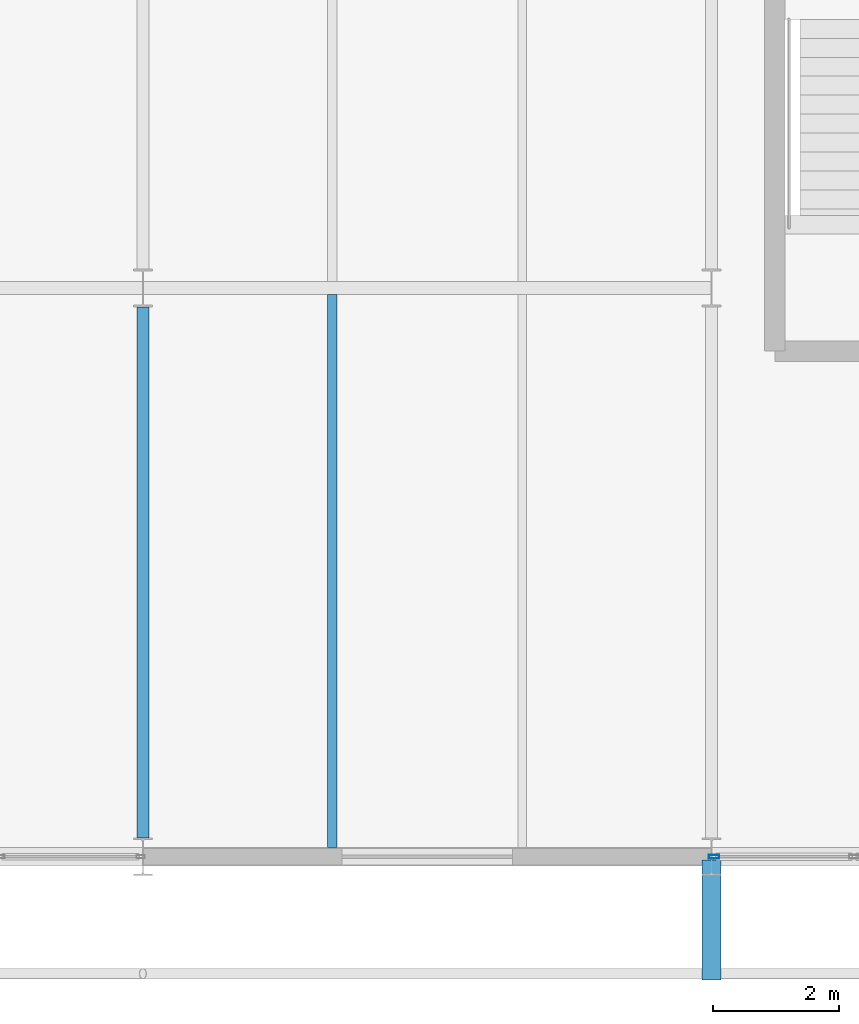
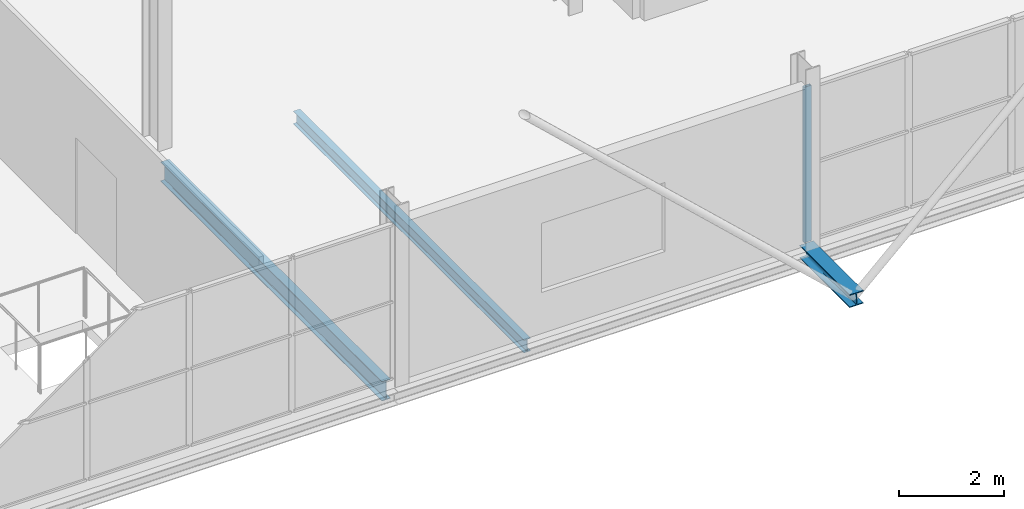
# One storey, part 29 of 59: 3 beams, 1 member, 1 element without a shape of its own.
"""IFC4 building model written with IfcOpenShell, lengths in metres."""

from ifc_helpers import new_model, si_unit, direction, frame, origin, origin_2d, place, context, subcontext, project, spatial, hollow_rectangle, i_section, extrude, material, layer, layer_set, material_profile, profile_set, type_object, element, aggregate, save


model = new_model("IFC4")

# Units and contexts
model_context = context("Model", 3, precision=1e-05, world=origin(), true_north=direction((0.0, 1.0)))
body_context = subcontext(model_context, "Body", "Model", "MODEL_VIEW")
ifc_project = project(units=[si_unit("LENGTHUNIT", "METRE"), si_unit("AREAUNIT", "SQUARE_METRE"), si_unit("VOLUMEUNIT", "CUBIC_METRE"), si_unit("PLANEANGLEUNIT", "RADIAN"), si_unit("MASSUNIT", "GRAM", prefix="KILO")], contexts=[model_context])

# Site, building, storey
site_placement = place(None, origin())
site = spatial("IfcSite", under=ifc_project, at=site_placement, CompositionType="ELEMENT")
building_placement = place(site_placement, origin())
building = spatial("IfcBuilding", under=site, at=building_placement, Name="Deido Ridge Mobility Hub", CompositionType="ELEMENT")
storey_placement = place(building_placement, frame((0.0, 0.0, 21.0)))
storey = spatial("IfcBuildingStorey", under=building, at=storey_placement, Name="L05", CompositionType="ELEMENT", Elevation=21.0)

# Beams
ifc_material_1 = material(Name="Steel S355J2 EN 10025-2", Category="steel")
ifc_material_profile_1 = material_profile(ifc_material_1, i_section(OverallWidth=0.18994140625, OverallDepth=0.449951171875, WebThickness=0.009521484375, FlangeThickness=0.0146484375, FilletRadius=0.02099609375, at=origin_2d()), Name="IPE 450")
ifc_profile_set_1 = profile_set([ifc_material_profile_1], Name="Steel S355J2 EN 10025-2")
beam_type_1 = type_object("IfcBeamType", Name="BM-IPE450", PredefinedType="BEAM", material=ifc_profile_set_1)
beam_1_placement = place(storey_placement, frame((153.0, 0.300048828125, -0.469970703125), z_axis=(0.0, 1.0, 0.0), x_axis=(-1.0, 0.0, 0.0)))
element("IfcBeam", 1, at=beam_1_placement, inside=storey, type_object=beam_type_1, Name="Floor beam B4", PredefinedType="BEAM", context=body_context, shape_type="SweptSolid", body=[
    extrude(i_section(OverallWidth=0.18994140625, OverallDepth=0.449951171875, WebThickness=0.009521484375, FlangeThickness=0.0146484375, FilletRadius=0.02099609375, at=origin_2d()), origin(), (0.0, 0.0, 1.0), 8.39990234375),
])
ifc_material_profile_2 = material_profile(ifc_material_1, i_section(OverallWidth=0.14990234375, OverallDepth=0.300048828125, WebThickness=0.007080078125, FlangeThickness=0.0107421875, FilletRadius=0.014892578125, at=origin_2d()), Name="IPE 300")
ifc_profile_set_2 = profile_set([ifc_material_profile_2], Name="Steel S355J2 EN 10025-2")
beam_type_2 = type_object("IfcBeamType", Name="JST-IPE300", PredefinedType="JOIST", material=ifc_profile_set_2)
beam_2_placement = place(storey_placement, frame((156.0, 0.14990234375, -0.39501953125), z_axis=(0.0, 1.0, 0.0), x_axis=(-1.0, 0.0, 0.0)))
element("IfcBeam", 2, at=beam_2_placement, inside=storey, type_object=beam_type_2, Name="Composite joist J3", PredefinedType="JOIST", context=body_context, shape_type="SweptSolid", body=[
    extrude(i_section(OverallWidth=0.14990234375, OverallDepth=0.300048828125, WebThickness=0.007080078125, FlangeThickness=0.0107421875, FilletRadius=0.014892578125, at=origin_2d()), origin(), (0.0, 0.0, 1.0), 8.75),
])

# Curtain wall, member
ifc_material_2 = material(Name="Anodised aluminium EN AW-6063 T6", Category="aluminium")
ifc_layer = layer(ifc_material_2, 0.195068359375, Name="Anodised aluminium EN AW-6063 T6")
ifc_layer_set = layer_set([ifc_layer], Name="Anodised aluminium EN AW-6063 T6")
curtain_wall_type = type_object("IfcCurtainWallType", Name="CW-UF-3", PredefinedType="USERDEFINED", material=ifc_layer_set)
curtain_wall_placement = place(storey_placement, origin())
curtain_wall = element("IfcCurtainWall", 3, at=curtain_wall_placement, inside=storey, type_object=curtain_wall_type, Name="Unitised curtain wall CW3", ObjectType="UNITISED FACADE", PredefinedType="USERDEFINED")
ifc_material_profile_3 = material_profile(ifc_material_2, hollow_rectangle(XDim=0.06005859375, YDim=0.159912109375, WallThickness=0.00390625, at=origin_2d()), Name="RHS 60x160x4")
ifc_profile_set_3 = profile_set([ifc_material_profile_3], Name="Anodised aluminium EN AW-6063 T6")
member_type = type_object("IfcMemberType", Name="MEM-MUL-60X160", PredefinedType="MULLION", material=ifc_profile_set_3)
member_placement = place(storey_placement, frame((162.03759765625, 0.0, 0.0), z_axis=(0.0, 0.0, 1.0), x_axis=(0.0, 1.0, 0.0)))
member = element("IfcMember", 4, at=member_placement, type_object=member_type, Name="CW3 mullion 1", PredefinedType="MULLION", context=body_context, shape_type="SweptSolid", body=[
    extrude(hollow_rectangle(XDim=0.06005859375, YDim=0.159912109375, WallThickness=0.00390625, at=origin_2d()), origin(), (0.0, 0.0, 1.0), 3.60009765625),
])
aggregate(curtain_wall, [member])

# Beam
ifc_material_profile_4 = material_profile(ifc_material_1, i_section(OverallWidth=0.300048828125, OverallDepth=0.300048828125, WebThickness=0.010986328125, FlangeThickness=0.01904296875, FilletRadius=0.027099609375, at=origin_2d()), Name="HEB 300")
ifc_profile_set_4 = profile_set([ifc_material_profile_4], Name="Steel S355J2 EN 10025-2")
beam_type_3 = type_object("IfcBeamType", Name="SPD-HEB300", PredefinedType="SPANDREL", material=ifc_profile_set_4)
beam_3_placement = place(storey_placement, frame((162.0, -0.050048828125, -0.14990234375), z_axis=(0.0, -1.0, 0.0), x_axis=(1.0, 0.0, 0.0)))
element("IfcBeam", 5, at=beam_3_placement, inside=storey, type_object=beam_type_3, Name="Exoskeleton outrigger beam SP1", PredefinedType="SPANDREL", context=body_context, shape_type="SweptSolid", body=[
    extrude(i_section(OverallWidth=0.300048828125, OverallDepth=0.300048828125, WebThickness=0.010986328125, FlangeThickness=0.01904296875, FilletRadius=0.027099609375, at=origin_2d()), origin(), (0.0, 0.0, 1.0), 1.89990234375),
])

save(model, "model.ifc")
